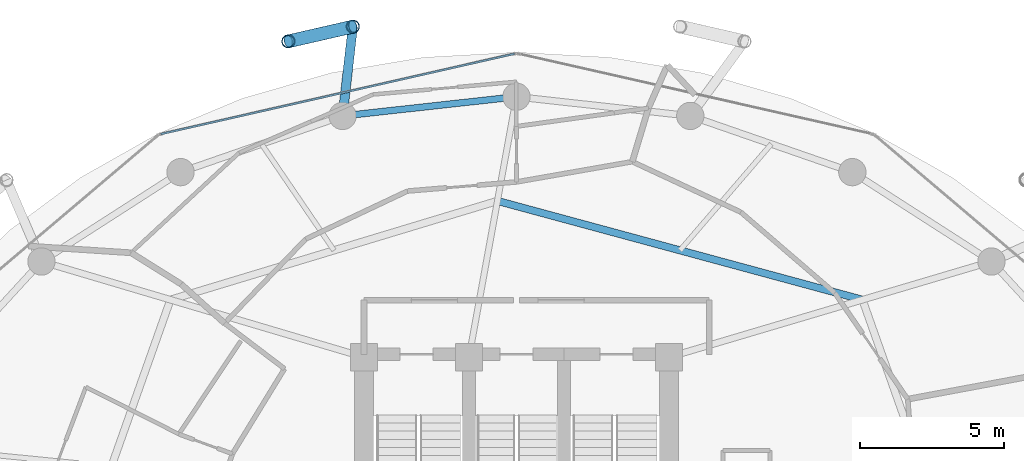
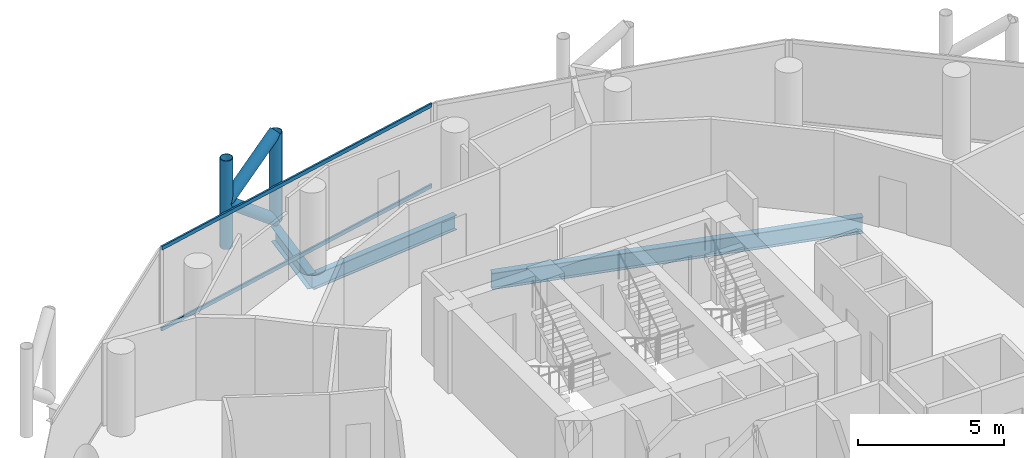
# One storey, part 16 of 26: 6 members, 3 beams, 1 element without a shape of its own.
"""IFC4 building model written with IfcOpenShell, lengths in metres."""

from ifc_helpers import new_model, si_unit, direction, frame, origin, origin_2d, place, context, subcontext, project, spatial, hollow_rectangle, hollow_circle, i_section, extrude, material, layer, layer_set, material_profile, profile_set, type_object, element, aggregate, save


model = new_model("IFC4")

# Units and contexts
model_context = context("Model", 3, precision=1e-05, world=origin(), true_north=direction((0.0, 1.0)))
body_context = subcontext(model_context, "Body", "Model", "MODEL_VIEW")
ifc_project = project(units=[si_unit("LENGTHUNIT", "METRE"), si_unit("AREAUNIT", "SQUARE_METRE"), si_unit("VOLUMEUNIT", "CUBIC_METRE"), si_unit("PLANEANGLEUNIT", "RADIAN"), si_unit("MASSUNIT", "GRAM", prefix="KILO")], contexts=[model_context])

# Site, building, storey
site_placement = place(None, origin())
site = spatial("IfcSite", under=ifc_project, at=site_placement, CompositionType="ELEMENT")
building_placement = place(site_placement, origin())
building = spatial("IfcBuilding", under=site, at=building_placement, Name="Nuhasar Tower", CompositionType="ELEMENT")
storey_placement = place(building_placement, frame((0.0, 0.0, 170.050048828125)))
storey = spatial("IfcBuildingStorey", under=building, at=storey_placement, Name="L41", CompositionType="ELEMENT", Elevation=170.050048828125)

# Beams
ifc_material_1 = material(Name="Steel S355", Category="steel")
ifc_material_profile_1 = material_profile(ifc_material_1, i_section(OverallWidth=0.25390625, OverallDepth=0.68408203125, WebThickness=0.012451171875, FlangeThickness=0.018798828125, at=origin_2d()), Name="W27X94")
ifc_profile_set_1 = profile_set([ifc_material_profile_1], Name="Steel S355")
beam_type_1 = type_object("IfcBeamType", Name="BM-INRING-W27X94", PredefinedType="BEAM", material=ifc_profile_set_1)
beam_1_placement = place(storey_placement, frame((51.027099609375, 39.2939453125, -0.592041015625), z_axis=(-0.96522695776, 0.261413312618, 0.0), x_axis=(-0.261413312618, -0.96522695776, 0.0)))
element("IfcBeam", 1, at=beam_1_placement, inside=storey, type_object=beam_type_1, Name="L41 Inner Header Beam 05", PredefinedType="BEAM", context=body_context, shape_type="SweptSolid", body=[
    extrude(i_section(OverallWidth=0.25390625, OverallDepth=0.68408203125, WebThickness=0.012451171875, FlangeThickness=0.018798828125, at=origin_2d()), origin(), (0.0, 0.0, 1.0), 13.14404296875),
])
ifc_material_profile_2 = material_profile(ifc_material_1, i_section(OverallWidth=0.22998046875, OverallDepth=0.616943359375, WebThickness=0.01318359375, FlangeThickness=0.022216796875, at=origin_2d()), Name="W24X94")
ifc_profile_set_2 = profile_set([ifc_material_profile_2], Name="Steel S355")
beam_type_2 = type_object("IfcBeamType", Name="BM-RING-W24X94", PredefinedType="SPANDREL", material=ifc_profile_set_2)
beam_2_placement = place(storey_placement, frame((39.0, 46.35009765625, -0.55810546875), z_axis=(-0.993981289157, -0.109549974015, 0.0), x_axis=(0.109549974015, -0.993981289157, 0.0)))
element("IfcBeam", 2, at=beam_2_placement, inside=storey, type_object=beam_type_2, Name="L41 Perimeter Ring Spandrel 07", PredefinedType="SPANDREL", context=body_context, shape_type="SweptSolid", body=[
    extrude(i_section(OverallWidth=0.22998046875, OverallDepth=0.616943359375, WebThickness=0.01318359375, FlangeThickness=0.022216796875, at=origin_2d()), origin(), (0.0, 0.0, 1.0), 6.07958984375),
])
ifc_material_profile_3 = material_profile(ifc_material_1, i_section(OverallWidth=0.323974609375, OverallDepth=0.611083984375, WebThickness=0.0126953125, FlangeThickness=0.01904296875, at=origin_2d()), Name="W24X104")
ifc_profile_set_3 = profile_set([ifc_material_profile_3], Name="Steel S355")
beam_type_3 = type_object("IfcBeamType", Name="BM-TIE-W24X104", PredefinedType="BEAM", material=ifc_profile_set_3)
beam_3_placement = place(storey_placement, frame((32.95703125, 45.68408203125, -0.554931640625), z_axis=(0.114167639647, 0.993461499031, 0.0), x_axis=(-0.993461499031, 0.114167639647, 0.0)))
element("IfcBeam", 3, at=beam_3_placement, inside=storey, type_object=beam_type_3, Name="L41 Exoskeleton Node Tie Beam 04", PredefinedType="BEAM", context=body_context, shape_type="SweptSolid", body=[
    extrude(i_section(OverallWidth=0.323974609375, OverallDepth=0.611083984375, WebThickness=0.0126953125, FlangeThickness=0.01904296875, at=origin_2d()), origin(), (0.0, 0.0, 1.0), 3.12646484375),
])

# Curtain wall, members
ifc_material_2 = material(Name="Aluminium 6063-T6", Category="aluminium")
ifc_layer = layer(ifc_material_2, 0.199951171875)
ifc_layer_set = layer_set([ifc_layer], Name="Aluminium 6063-T6")
curtain_wall_type = type_object("IfcCurtainWallType", Name="CW-Z2-HTL", PredefinedType="NOTDEFINED", material=ifc_layer_set)
curtain_wall_placement = place(storey_placement, origin())
curtain_wall = element("IfcCurtainWall", 4, at=curtain_wall_placement, inside=storey, type_object=curtain_wall_type, Name="L41 Unitised Curtain Wall 04", PredefinedType="NOTDEFINED")
ifc_material_profile_4 = material_profile(ifc_material_2, hollow_rectangle(XDim=0.070068359375, YDim=0.159912109375, WallThickness=0.00439453125, at=origin_2d()), Name="CWT-3")
ifc_profile_set_4 = profile_set([ifc_material_profile_4], Name="Aluminium 6063-T6")
member_type_1 = type_object("IfcMemberType", Name="CW-TRN-S3", PredefinedType="USERDEFINED", material=ifc_profile_set_4)
member_1_placement = place(storey_placement, frame((38.931640625, 47.844482421875, 0.034912109375), z_axis=(-0.975183434528, -0.221398439519, 0.0), x_axis=(0.221398439519, -0.975183434528, 0.0)))
member_1 = element("IfcMember", 5, at=member_1_placement, type_object=member_type_1, Name="CW-Z2 transom 1.1", ObjectType="TRANSOM", PredefinedType="USERDEFINED", context=body_context, shape_type="SweptSolid", body=[
    extrude(hollow_rectangle(XDim=0.070068359375, YDim=0.159912109375, WallThickness=0.00439453125, at=origin_2d()), origin(), (0.0, 0.0, 1.0), 12.606201171875),
])
member_2_placement = place(storey_placement, frame((38.931640625, 47.844482421875, 3.4150390625), z_axis=(-0.975183434528, -0.221398439519, 0.0), x_axis=(0.221398439519, -0.975183434528, 0.0)))
member_2 = element("IfcMember", 6, at=member_2_placement, type_object=member_type_1, Name="CW-Z2 transom 1.2", ObjectType="TRANSOM", PredefinedType="USERDEFINED", context=body_context, shape_type="SweptSolid", body=[
    extrude(hollow_rectangle(XDim=0.070068359375, YDim=0.159912109375, WallThickness=0.00439453125, at=origin_2d()), origin(), (0.0, 0.0, 1.0), 12.606201171875),
])
aggregate(curtain_wall, [member_1, member_2])

# Members
ifc_material_3 = material(Name="Steel S460", Category="steel")
ifc_material_profile_5 = material_profile(ifc_material_3, hollow_circle(Radius=0.228515625, WallThickness=0.022216796875, at=origin_2d()), Name="HSS457X22.2")
ifc_profile_set_5 = profile_set([ifc_material_profile_5], Name="Steel S460")
member_type_2 = type_object("IfcMemberType", Name="EXO-BRONZE-457", PredefinedType="BRACE", material=ifc_profile_set_5)
for number, where, z_axis, x_axis, name in (
    (7, (33.31396484375, 48.7900390625, 0.0), (0.0, 0.0, 1.0), (1.0, 0.0, 0.0), "L41 Exoskeleton Chord Column EC-04A"),
    (8, (31.072021484375, 48.27587890625, 0.0), (0.0, 0.0, 1.0), (1.0, 0.0, 0.0), "L41 Exoskeleton Chord Column EC-04B"),
):
    element("IfcMember", number, at=place(storey_placement, frame(where, z_axis=z_axis, x_axis=x_axis)), inside=storey, type_object=member_type_2, Name=name, PredefinedType="BRACE", context=body_context, shape_type="SweptSolid", body=[
        extrude(hollow_circle(Radius=0.228515625, WallThickness=0.022216796875, at=origin_2d()), origin(), (0.0, 0.0, 1.0), 3.699951171875),
    ])
member_3_placement = place(storey_placement, frame((33.31396484375, 48.7900390625, 0.0), z_axis=(-0.759538919781, -0.174190239035, 0.626704388019), x_axis=(0.223533724104, -0.974696195842, 0.0)))
element("IfcMember", 9, at=member_3_placement, inside=storey, type_object=member_type_2, Name="L41 Bronze Diagrid Brace W1-04", PredefinedType="BRACE", context=body_context, shape_type="SweptSolid", body=[
    extrude(hollow_circle(Radius=0.228515625, WallThickness=0.022216796875, at=origin_2d()), origin(), (0.0, 0.0, 1.0), 2.95166015625),
])
member_4_placement = place(storey_placement, frame((31.072021484375, 48.27587890625, 1.849853515625), z_axis=(0.759499549084, 0.174181209885, 0.626754609927), x_axis=(-0.223533724104, 0.974696195842, 0.0)))
element("IfcMember", 10, at=member_4_placement, inside=storey, type_object=member_type_2, Name="L41 Bronze Diagrid Brace W2-04", PredefinedType="BRACE", context=body_context, shape_type="SweptSolid", body=[
    extrude(hollow_circle(Radius=0.228515625, WallThickness=0.022216796875, at=origin_2d()), origin(), (0.0, 0.0, 1.0), 2.951904296875),
])

save(model, "model.ifc")
